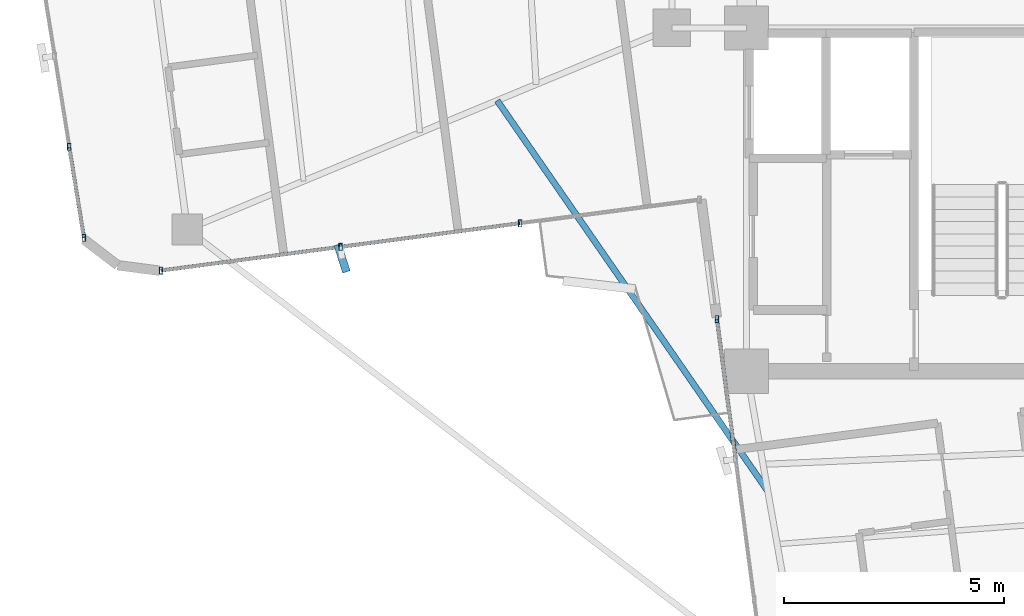
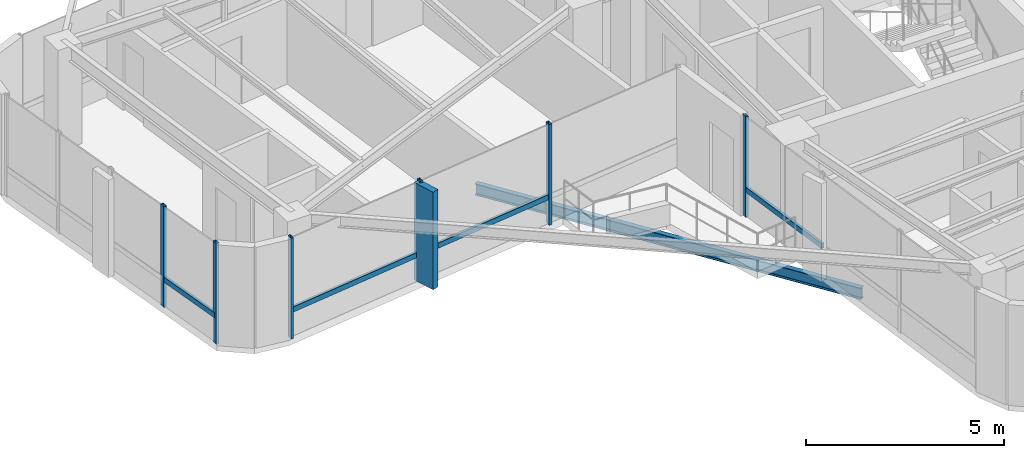
# One storey, part 2 of 22: 11 members, 1 beam, 3 elements without a shape of their own.
"""IFC4 building model written with IfcOpenShell, lengths in metres."""

from ifc_helpers import new_model, si_unit, direction, frame, origin, origin_2d, place, context, subcontext, project, spatial, rectangle, hollow_rectangle, i_section, extrude, source, transform, mapped, material, material_profile, profile_set, type_object, element, aggregate, save


model = new_model("IFC4")

# Units and contexts
model_context = context("Model", 3, precision=1e-05, world=origin(), true_north=direction((0.0, 1.0)))
body_context = subcontext(model_context, "Body", "Model", "MODEL_VIEW")
ifc_project = project(units=[si_unit("LENGTHUNIT", "METRE"), si_unit("AREAUNIT", "SQUARE_METRE"), si_unit("VOLUMEUNIT", "CUBIC_METRE"), si_unit("PLANEANGLEUNIT", "RADIAN"), si_unit("MASSUNIT", "GRAM", prefix="KILO")], contexts=[model_context])

# Site, building, storey
site_placement = place(None, origin())
site = spatial("IfcSite", under=ifc_project, at=site_placement, CompositionType="ELEMENT")
building_placement = place(site_placement, origin())
building = spatial("IfcBuilding", under=site, at=building_placement, Name="Sahyath Konkavel Grand Hotel", CompositionType="ELEMENT")
storey_placement = place(building_placement, frame((0.0, 0.0, 247.85009765625)))
storey = spatial("IfcBuildingStorey", under=building, at=storey_placement, Name="L69", CompositionType="ELEMENT", Elevation=247.85009765625)

# Curtain wall, members
ifc_material_1 = material(Name="Anodised Bronze Aluminium & Low-E Glazing", Category="aluminium")
curtain_wall_type = type_object("IfcCurtainWallType", Name="CW-ZONE4", PredefinedType="NOTDEFINED", material=ifc_material_1)
curtain_wall_1_placement = place(storey_placement, origin())
curtain_wall_1 = element("IfcCurtainWall", 1, at=curtain_wall_1_placement, inside=storey, type_object=curtain_wall_type, Name="L69 Unitised Curtain Wall F20", PredefinedType="NOTDEFINED")
ifc_material_2 = material(Name="Anodised Bronze Aluminium", Category="aluminium")
ifc_material_profile_1 = material_profile(ifc_material_2, hollow_rectangle(XDim=0.080078125, YDim=0.159912109375, WallThickness=0.006103515625, at=origin_2d()), Name="RHS 160x80x6")
ifc_profile_set_1 = profile_set([ifc_material_profile_1], Name="Anodised Bronze Aluminium")
member_type_1 = type_object("IfcMemberType", Name="CW-MUL-160", PredefinedType="MULLION", material=ifc_profile_set_1)
shared_shape_1 = source(origin(), body_context, "Body", "SweptSolid", [
    extrude(hollow_rectangle(XDim=0.080078125, YDim=0.159912109375, WallThickness=0.006103515625, at=origin_2d()), origin(), (0.0, 0.0, 1.0), 3.10986328125),
])
member_1_placement = place(storey_placement, frame((-19.192626953125, -5.10400390625, 0.0), z_axis=(0.0, 0.0, 1.0), x_axis=(1.0, 0.0, 0.0)))
member_1 = element("IfcMember", 2, at=member_1_placement, type_object=member_type_1, Name="L69 Curtain Wall Mullion F20-3", PredefinedType="MULLION", context=body_context, shape_type="MappedRepresentation", body=[
    mapped(shared_shape_1, transform((0.0, 0.0, 0.0), scale=1.0)),
])
member_2_placement = place(storey_placement, frame((-18.858642578125, -7.1708984375, 0.0), z_axis=(0.0, 0.0, 1.0), x_axis=(1.0, 0.0, 0.0)))
member_2 = element("IfcMember", 3, at=member_2_placement, type_object=member_type_1, Name="L69 Curtain Wall Mullion F20-4", PredefinedType="MULLION", context=body_context, shape_type="MappedRepresentation", body=[
    mapped(shared_shape_1, transform((0.0, 0.0, 0.0), scale=1.0)),
])

curtain_wall_2_placement = place(storey_placement, origin())
curtain_wall_2 = element("IfcCurtainWall", 4, at=curtain_wall_2_placement, inside=storey, type_object=curtain_wall_type, Name="L69 Unitised Curtain Wall F23", PredefinedType="NOTDEFINED")
member_3_placement = place(storey_placement, frame((-17.103515625, -7.9130859375, 0.0), z_axis=(0.0, 0.0, 1.0), x_axis=(1.0, 0.0, 0.0)))
member_3 = element("IfcMember", 5, at=member_3_placement, type_object=member_type_1, Name="L69 Curtain Wall Mullion F23-0", PredefinedType="MULLION", context=body_context, shape_type="MappedRepresentation", body=[
    mapped(shared_shape_1, transform((0.0, 0.0, 0.0), scale=1.0)),
])
member_4_placement = place(storey_placement, frame((-13.0263671875, -7.37646484375, 0.0), z_axis=(0.0, 0.0, 1.0), x_axis=(1.0, 0.0, 0.0)))
member_4 = element("IfcMember", 6, at=member_4_placement, type_object=member_type_1, Name="L69 Curtain Wall Mullion F23-1", PredefinedType="MULLION", context=body_context, shape_type="MappedRepresentation", body=[
    mapped(shared_shape_1, transform((0.0, 0.0, 0.0), scale=1.0)),
])
member_5_placement = place(storey_placement, frame((-8.94921875, -6.839599609375, 0.0), z_axis=(0.0, 0.0, 1.0), x_axis=(1.0, 0.0, 0.0)))
member_5 = element("IfcMember", 7, at=member_5_placement, type_object=member_type_1, Name="L69 Curtain Wall Mullion F23-2", PredefinedType="MULLION", context=body_context, shape_type="MappedRepresentation", body=[
    mapped(shared_shape_1, transform((0.0, 0.0, 0.0), scale=1.0)),
])

# Curtain wall, member
curtain_wall_3_placement = place(storey_placement, origin())
curtain_wall_3 = element("IfcCurtainWall", 8, at=curtain_wall_3_placement, inside=storey, type_object=curtain_wall_type, Name="L69 Unitised Curtain Wall F24", PredefinedType="NOTDEFINED")
member_6_placement = place(storey_placement, frame((-4.474609375, -9.01416015625, 0.0), z_axis=(0.0, 0.0, 1.0), x_axis=(1.0, 0.0, 0.0)))
member_6 = element("IfcMember", 9, at=member_6_placement, type_object=member_type_1, Name="L69 Curtain Wall Mullion F24-0", PredefinedType="MULLION", context=body_context, shape_type="MappedRepresentation", body=[
    mapped(shared_shape_1, transform((0.0, 0.0, 0.0), scale=1.0)),
])

# Member
ifc_material_3 = material(Name="Warm Buff Sandstone Cladding on Concrete C50/60", Category="masonry")
ifc_material_profile_2 = material_profile(ifc_material_3, rectangle(XDim=0.179931640625, YDim=0.64990234375, at=origin_2d()), Name="FIN 180x650")
ifc_profile_set_2 = profile_set([ifc_material_profile_2], Name="Warm Buff Sandstone Cladding on Concrete C50/60")
member_type_2 = type_object("IfcMemberType", Name="FIN-SANDSTONE-650", PredefinedType="MULLION", material=ifc_profile_set_2)
shared_shape_2 = source(origin(), body_context, "Body", "SweptSolid", [
    extrude(rectangle(XDim=0.179931640625, YDim=0.64990234375, at=origin_2d()), origin(), (0.0, 0.0, 1.0), 3.010009765625),
])
member_7_placement = place(storey_placement, frame((-12.992431640625, -7.63427734375, 0.0498046875), z_axis=(0.0, 0.0, 1.0), x_axis=(0.953348857629, 0.301870759858, 0.0)))
member_7 = element("IfcMember", 10, at=member_7_placement, type_object=member_type_2, Name="L69 Sandstone Vertical Solar Fin FIN F23-1", PredefinedType="MULLION", context=body_context, shape_type="MappedRepresentation", body=[
    mapped(shared_shape_2, transform((0.0, 0.0, 0.0), scale=1.0)),
])

ifc_material_profile_3 = material_profile(ifc_material_2, hollow_rectangle(XDim=0.080078125, YDim=0.159912109375, WallThickness=0.006103515625, at=origin_2d()), Name="RHS 160x80x6")
ifc_profile_set_3 = profile_set([ifc_material_profile_3], Name="Anodised Bronze Aluminium")
member_type_3 = type_object("IfcMemberType", Name="CW-TRN-160", PredefinedType="USERDEFINED", material=ifc_profile_set_3)
shared_shape_3 = source(origin(), body_context, "Body", "SweptSolid", [
    extrude(hollow_rectangle(XDim=0.080078125, YDim=0.159912109375, WallThickness=0.006103515625, at=origin_2d()), origin(), (0.0, 0.0, 1.0), 3.21240234375),
])
member_8_placement = place(storey_placement, frame((-4.474609375, -9.01416015625, 0.849853515625), z_axis=(0.130495798888, -0.991448862258, 0.0), x_axis=(0.991448862258, 0.130495798888, 0.0)))
member_8 = element("IfcMember", 11, at=member_8_placement, type_object=member_type_3, Name="L69 Curtain Wall Transom F24-0-spandrel", ObjectType="TRANSOM", PredefinedType="USERDEFINED", context=body_context, shape_type="MappedRepresentation", body=[
    mapped(shared_shape_3, transform((0.0, 0.0, 0.0), scale=1.0)),
])

aggregate(curtain_wall_3, [member_6, member_8])

shared_shape_4 = source(origin(), body_context, "Body", "SweptSolid", [
    extrude(hollow_rectangle(XDim=0.080078125, YDim=0.159912109375, WallThickness=0.006103515625, at=origin_2d()), origin(), (0.0, 0.0, 1.0), 2.09375),
])
member_9_placement = place(storey_placement, frame((-19.192626953125, -5.10400390625, 0.849853515625), z_axis=(0.159518391326, -0.987194956849, 0.0), x_axis=(0.987194956849, 0.159518391326, 0.0)))
member_9 = element("IfcMember", 12, at=member_9_placement, type_object=member_type_3, Name="L69 Curtain Wall Transom F20-3-spandrel", ObjectType="TRANSOM", PredefinedType="USERDEFINED", context=body_context, shape_type="MappedRepresentation", body=[
    mapped(shared_shape_4, transform((0.0, 0.0, 0.0), scale=1.0)),
])

aggregate(curtain_wall_1, [member_1, member_2, member_9])

shared_shape_5 = source(origin(), body_context, "Body", "SweptSolid", [
    extrude(hollow_rectangle(XDim=0.080078125, YDim=0.159912109375, WallThickness=0.006103515625, at=origin_2d()), origin(), (0.0, 0.0, 1.0), 4.1123046875),
])
member_10_placement = place(storey_placement, frame((-17.103515625, -7.9130859375, 0.849853515625), z_axis=(0.991449445172, 0.130491370089, 0.0), x_axis=(-0.130491370089, 0.991449445172, 0.0)))
member_10 = element("IfcMember", 13, at=member_10_placement, type_object=member_type_3, Name="L69 Curtain Wall Transom F23-0-spandrel", ObjectType="TRANSOM", PredefinedType="USERDEFINED", context=body_context, shape_type="MappedRepresentation", body=[
    mapped(shared_shape_5, transform((0.0, 0.0, 0.0), scale=1.0)),
])

member_11_placement = place(storey_placement, frame((-13.0263671875, -7.37646484375, 0.849853515625), z_axis=(0.991441762714, 0.130549726719, 0.0), x_axis=(-0.130549726719, 0.991441762714, 0.0)))
member_11 = element("IfcMember", 14, at=member_11_placement, type_object=member_type_3, Name="L69 Curtain Wall Transom F23-1-spandrel", ObjectType="TRANSOM", PredefinedType="USERDEFINED", context=body_context, shape_type="MappedRepresentation", body=[
    mapped(shared_shape_5, transform((0.0, 0.0, 0.0), scale=1.0)),
])

aggregate(curtain_wall_2, [member_3, member_4, member_7, member_5, member_10, member_11])

# Beam
ifc_material_4 = material(Name="Steel E350", Category="steel")
ifc_material_profile_4 = material_profile(ifc_material_4, i_section(OverallWidth=0.139892578125, OverallDepth=0.35009765625, WebThickness=0.008056640625, FlangeThickness=0.01416015625, FilletRadius=0.013916015625, at=origin_2d()), Name="ISMB 350")
ifc_profile_set_4 = profile_set([ifc_material_profile_4], Name="Steel E350")
beam_type = type_object("IfcBeamType", Name="BM-BALC-CANT", PredefinedType="BEAM", material=ifc_profile_set_4)
shared_shape_6 = source(origin(), body_context, "Body", "SweptSolid", [
    extrude(i_section(OverallWidth=0.139892578125, OverallDepth=0.35009765625, WebThickness=0.008056640625, FlangeThickness=0.01416015625, FilletRadius=0.013916015625, at=origin_2d()), origin(), (0.0, 0.0, 1.0), 10.795654296875),
])
beam_placement = place(storey_placement, frame((-9.46826171875, -4.050048828125, -0.4150390625), z_axis=(0.569443975085, -0.82203014497, 0.0), x_axis=(0.82203014497, 0.569443975085, 0.0)))
element("IfcBeam", 15, at=beam_placement, inside=storey, type_object=beam_type, Name="L69 Balcony Cantilever Support Beam SW", PredefinedType="BEAM", context=body_context, shape_type="MappedRepresentation", body=[
    mapped(shared_shape_6, transform((0.0, 0.0, 0.0), scale=1.0)),
])

save(model, "model.ifc")
